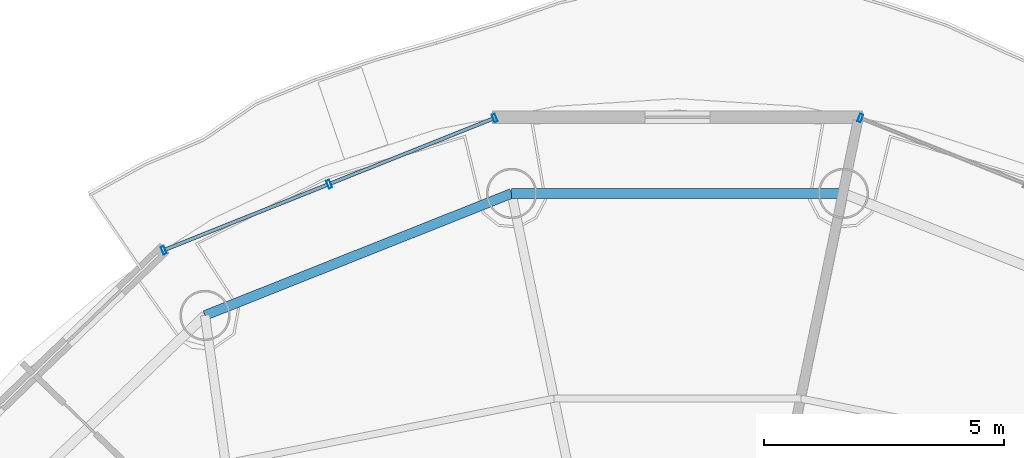
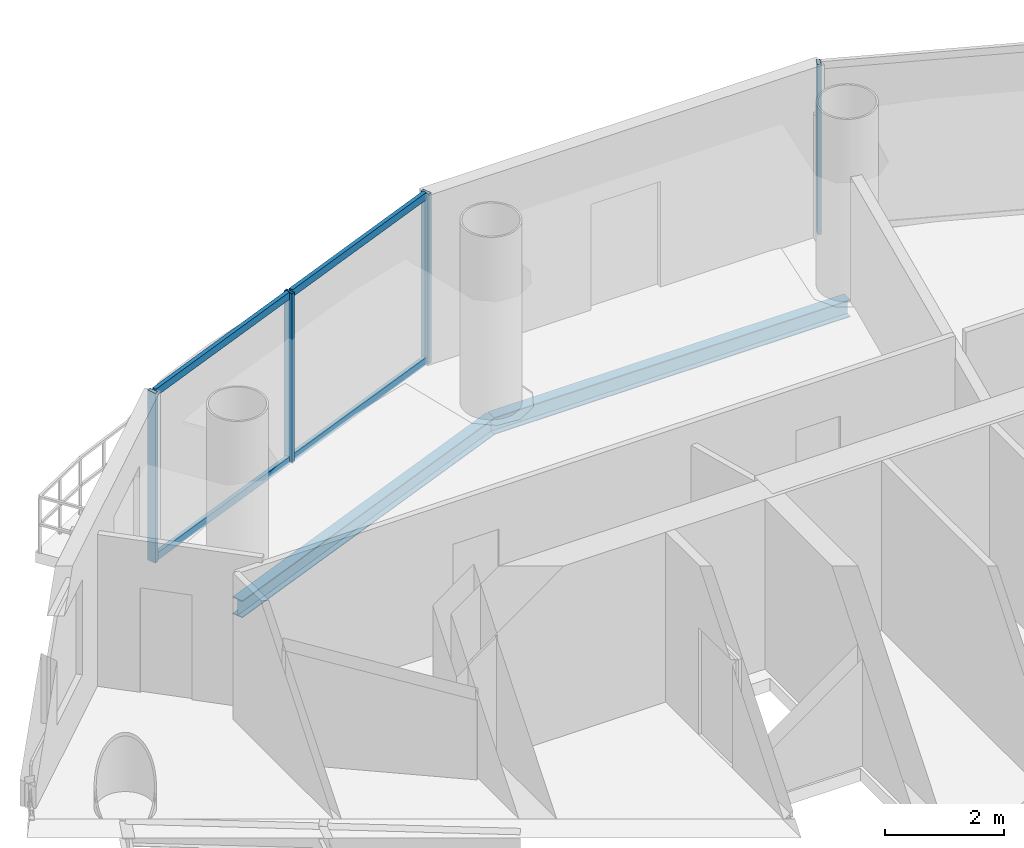
# One storey, part 11 of 21: 8 members, 2 beams, 2 elements without a shape of their own.
"""IFC4 building model written with IfcOpenShell, lengths in metres."""

from ifc_helpers import new_model, si_unit, direction, frame, origin, origin_2d, place, context, subcontext, project, spatial, hollow_rectangle, i_section, extrude, source, transform, mapped, material, material_profile, profile_set, type_object, element, aggregate, save


model = new_model("IFC4")

# Units and contexts
model_context = context("Model", 3, precision=1e-05, world=origin(), true_north=direction((-0.2419218956, 0.970295726276)))
body_context = subcontext(model_context, "Body", "Model", "MODEL_VIEW")
ifc_project = project(units=[si_unit("LENGTHUNIT", "METRE"), si_unit("AREAUNIT", "SQUARE_METRE"), si_unit("VOLUMEUNIT", "CUBIC_METRE"), si_unit("PLANEANGLEUNIT", "RADIAN"), si_unit("MASSUNIT", "GRAM", prefix="KILO")], contexts=[model_context])

# Site, building, storey
site_placement = place(None, origin())
site = spatial("IfcSite", under=ifc_project, at=site_placement, CompositionType="ELEMENT")
building_placement = place(site_placement, origin())
building = spatial("IfcBuilding", under=site, at=building_placement, Name="Cobrevalo Terracotta Tower", CompositionType="ELEMENT")
storey_placement = place(building_placement, frame((0.0, 0.0, 285.699951171875)))
storey = spatial("IfcBuildingStorey", under=building, at=storey_placement, Name="L75", CompositionType="ELEMENT", Elevation=285.699951171875)

# Beams
ifc_material_1 = material(Name="Steel S355", Category="steel")
ifc_material_profile_1 = material_profile(ifc_material_1, i_section(OverallWidth=0.205078125, OverallDepth=0.35400390625, WebThickness=0.009521484375, FlangeThickness=0.016845703125, at=origin_2d()), Name="W 360x79")
ifc_profile_set_1 = profile_set([ifc_material_profile_1], Name="Steel S355")
beam_type = type_object("IfcBeamType", Name="Structural Spandrel W 360x79 (Steel S355)", PredefinedType="SPANDREL", material=ifc_profile_set_1)
beam_1_placement = place(storey_placement, frame((41.462890625, 43.5224609375, -0.43701171875), z_axis=(-1.0, 0.0, 0.0), x_axis=(0.0, -1.0, 0.0)))
element("IfcBeam", 1, at=beam_1_placement, inside=storey, type_object=beam_type, Name="L75 perimeter ring spandrel 04", PredefinedType="SPANDREL", context=body_context, shape_type="SweptSolid", body=[
    extrude(i_section(OverallWidth=0.205078125, OverallDepth=0.35400390625, WebThickness=0.009521484375, FlangeThickness=0.016845703125, at=origin_2d()), origin(), (0.0, 0.0, 1.0), 6.92578125),
])
beam_2_placement = place(storey_placement, frame((34.537109375, 43.5224609375, -0.43701171875), z_axis=(-0.929149986048, -0.369702993533, 0.0), x_axis=(0.369702993533, -0.929149986048, 0.0)))
element("IfcBeam", 2, at=beam_2_placement, inside=storey, type_object=beam_type, Name="L75 perimeter ring spandrel 05", PredefinedType="SPANDREL", context=body_context, shape_type="SweptSolid", body=[
    extrude(i_section(OverallWidth=0.205078125, OverallDepth=0.35400390625, WebThickness=0.009521484375, FlangeThickness=0.016845703125, at=origin_2d()), origin(), (0.0, 0.0, 1.0), 6.88623046875),
])

# Curtain wall, member
ifc_material_2 = material(Name="Anodized aluminium", Category="aluminium")
curtain_wall_type = type_object("IfcCurtainWallType", Name="Upper-tower triple-glazed penthouse curtain wall CW-U3", PredefinedType="NOTDEFINED", material=ifc_material_2)
curtain_wall_1_placement = place(storey_placement, origin())
curtain_wall_1 = element("IfcCurtainWall", 3, at=curtain_wall_1_placement, inside=storey, type_object=curtain_wall_type, Name="L75 curtain wall CW-L75-S03", PredefinedType="NOTDEFINED")
ifc_material_profile_2 = material_profile(ifc_material_2, hollow_rectangle(XDim=0.070068359375, YDim=0.169921875, WallThickness=0.00439453125, at=origin_2d()), Name="CWM 70x170")
ifc_profile_set_2 = profile_set([ifc_material_profile_2], Name="Anodized aluminium")
member_type_1 = type_object("IfcMemberType", Name="Upper tower unitised mullion 70x170", PredefinedType="MULLION", material=ifc_profile_set_2)
shared_shape_1 = source(origin(), body_context, "Body", "SweptSolid", [
    extrude(hollow_rectangle(XDim=0.070068359375, YDim=0.169921875, WallThickness=0.00439453125, at=origin_2d()), origin(), (0.0, 0.0, 1.0), 3.489990234375),
])
member_1_placement = place(storey_placement, frame((41.816162109375, 45.096435546875, 0.0), z_axis=(0.0, 0.0, 1.0), x_axis=(-0.928718980883, 0.370784377433, 0.0)))
member_1 = element("IfcMember", 4, at=member_1_placement, type_object=member_type_1, Name="CW-L75-S03 vertical mullion 03", PredefinedType="MULLION", context=body_context, shape_type="MappedRepresentation", body=[
    mapped(shared_shape_1, transform((0.0, 0.0, 0.0), scale=1.0)),
])
aggregate(curtain_wall_1, [member_1])

# Curtain wall, members
curtain_wall_2_placement = place(storey_placement, origin())
curtain_wall_2 = element("IfcCurtainWall", 5, at=curtain_wall_2_placement, inside=storey, type_object=curtain_wall_type, Name="L75 curtain wall CW-L75-S05", PredefinedType="NOTDEFINED")
member_2_placement = place(storey_placement, frame((34.183837890625, 45.096435546875, 0.0), z_axis=(0.0, 0.0, 1.0), x_axis=(-0.928718980883, -0.370784377433, 0.0)))
member_2 = element("IfcMember", 6, at=member_2_placement, type_object=member_type_1, Name="CW-L75-S05 vertical mullion 01", PredefinedType="MULLION", context=body_context, shape_type="MappedRepresentation", body=[
    mapped(shared_shape_1, transform((0.0, 0.0, 0.0), scale=1.0)),
])
member_3_placement = place(storey_placement, frame((30.729736328125, 43.71728515625, 0.0), z_axis=(0.0, 0.0, 1.0), x_axis=(-0.928718980883, -0.370784377433, 0.0)))
member_3 = element("IfcMember", 7, at=member_3_placement, type_object=member_type_1, Name="CW-L75-S05 vertical mullion 02", PredefinedType="MULLION", context=body_context, shape_type="MappedRepresentation", body=[
    mapped(shared_shape_1, transform((0.0, 0.0, 0.0), scale=1.0)),
])
member_4_placement = place(storey_placement, frame((27.275634765625, 42.33837890625, 0.0), z_axis=(0.0, 0.0, 1.0), x_axis=(-0.928718980883, -0.370784377433, 0.0)))
member_4 = element("IfcMember", 8, at=member_4_placement, type_object=member_type_1, Name="CW-L75-S05 vertical mullion 03", PredefinedType="MULLION", context=body_context, shape_type="MappedRepresentation", body=[
    mapped(shared_shape_1, transform((0.0, 0.0, 0.0), scale=1.0)),
])
ifc_material_profile_3 = material_profile(ifc_material_2, hollow_rectangle(XDim=0.074951171875, YDim=0.14990234375, WallThickness=0.00439453125, at=origin_2d()), Name="CWT 75x150")
ifc_profile_set_3 = profile_set([ifc_material_profile_3], Name="Anodized aluminium")
member_type_2 = type_object("IfcMemberType", Name="Tower unitised aluminium transom 75x150", PredefinedType="USERDEFINED", material=ifc_profile_set_3)
shared_shape_2 = source(origin(), body_context, "Body", "SweptSolid", [
    extrude(hollow_rectangle(XDim=0.074951171875, YDim=0.14990234375, WallThickness=0.00439453125, at=origin_2d()), origin(), (0.0, 0.0, 1.0), 3.63916015625),
])
member_5_placement = place(storey_placement, frame((34.146728515625, 45.08154296875, 0.050048828125), z_axis=(-0.928712471544, -0.370800681227, 0.0), x_axis=(0.370800681227, -0.928712471544, 0.0)))
member_5 = element("IfcMember", 9, at=member_5_placement, type_object=member_type_2, Name="CW-L75-S05 transom B01-T1", ObjectType="TRANSOM", PredefinedType="USERDEFINED", context=body_context, shape_type="MappedRepresentation", body=[
    mapped(shared_shape_2, transform((0.0, 0.0, 0.0), scale=1.0)),
])
member_6_placement = place(storey_placement, frame((34.146728515625, 45.08154296875, 3.43994140625), z_axis=(-0.928712471544, -0.370800681227, 0.0), x_axis=(0.370800681227, -0.928712471544, 0.0)))
member_6 = element("IfcMember", 10, at=member_6_placement, type_object=member_type_2, Name="CW-L75-S05 transom B01-T2", ObjectType="TRANSOM", PredefinedType="USERDEFINED", context=body_context, shape_type="MappedRepresentation", body=[
    mapped(shared_shape_2, transform((0.0, 0.0, 0.0), scale=1.0)),
])
member_7_placement = place(storey_placement, frame((30.692626953125, 43.70263671875, 0.050048828125), z_axis=(-0.928712471544, -0.370800681227, 0.0), x_axis=(0.370800681227, -0.928712471544, 0.0)))
member_7 = element("IfcMember", 11, at=member_7_placement, type_object=member_type_2, Name="CW-L75-S05 transom B02-T1", ObjectType="TRANSOM", PredefinedType="USERDEFINED", context=body_context, shape_type="MappedRepresentation", body=[
    mapped(shared_shape_2, transform((0.0, 0.0, 0.0), scale=1.0)),
])
member_8_placement = place(storey_placement, frame((30.692626953125, 43.70263671875, 3.43994140625), z_axis=(-0.928712471544, -0.370800681227, 0.0), x_axis=(0.370800681227, -0.928712471544, 0.0)))
member_8 = element("IfcMember", 12, at=member_8_placement, type_object=member_type_2, Name="CW-L75-S05 transom B02-T2", ObjectType="TRANSOM", PredefinedType="USERDEFINED", context=body_context, shape_type="MappedRepresentation", body=[
    mapped(shared_shape_2, transform((0.0, 0.0, 0.0), scale=1.0)),
])
aggregate(curtain_wall_2, [member_2, member_3, member_4, member_5, member_6, member_7, member_8])

save(model, "model.ifc")
